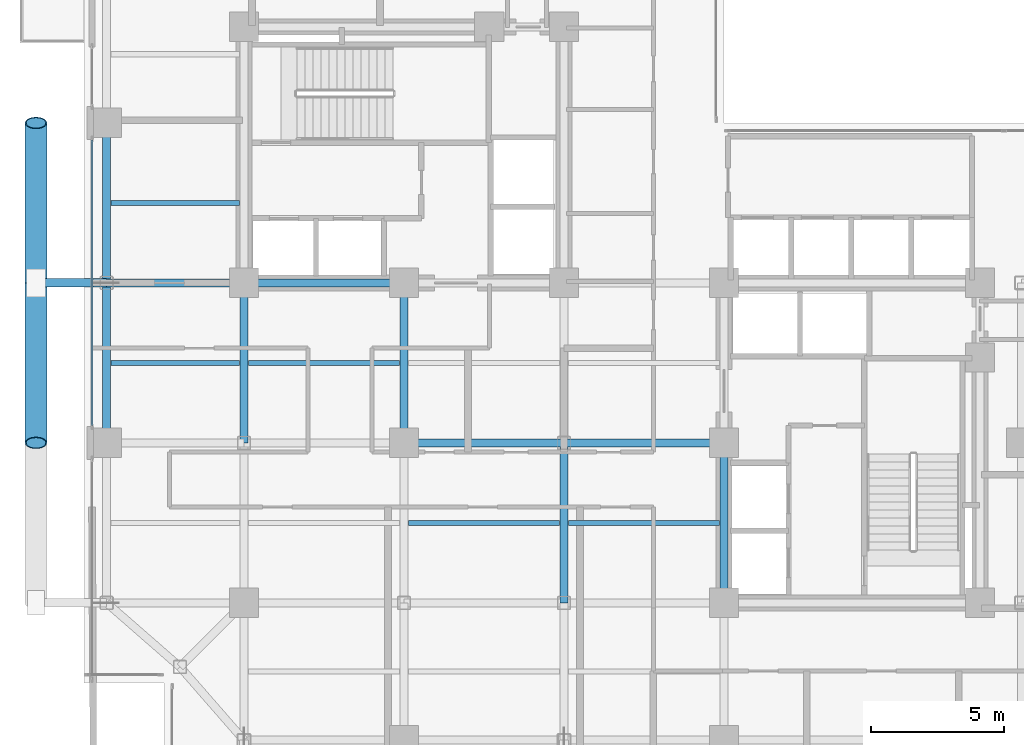
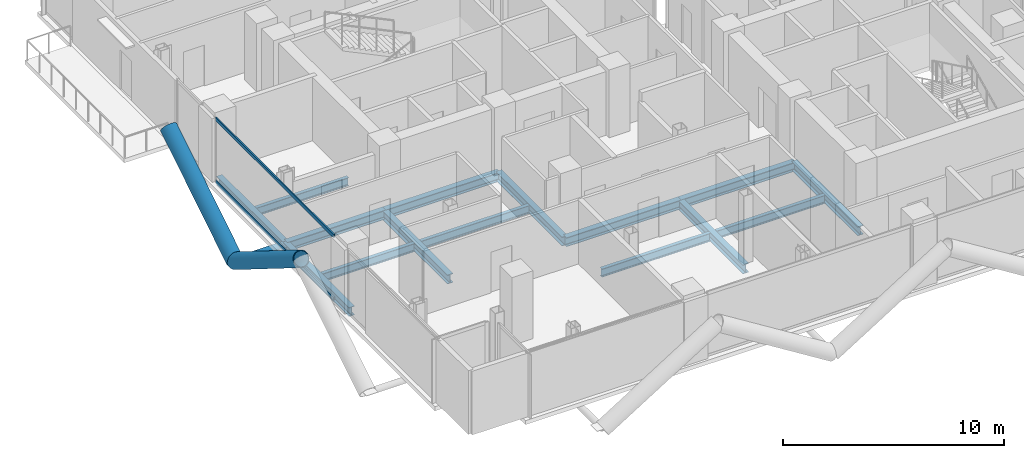
# One storey, part 6 of 28: 15 beams, 5 members, 1 element without a shape of its own.
"""IFC4 building model written with IfcOpenShell, lengths in metres."""

from ifc_helpers import new_model, si_unit, direction, frame, origin, origin_2d, place, context, subcontext, project, spatial, hollow_rectangle, hollow_circle, i_section, extrude, material, layer, layer_set, material_profile, profile_set, type_object, element, aggregate, save


model = new_model("IFC4")

# Units and contexts
model_context = context("Model", 3, precision=1e-05, world=origin(), true_north=direction((0.0, 1.0)))
body_context = subcontext(model_context, "Body", "Model", "MODEL_VIEW")
ifc_project = project(units=[si_unit("LENGTHUNIT", "METRE"), si_unit("AREAUNIT", "SQUARE_METRE"), si_unit("VOLUMEUNIT", "CUBIC_METRE"), si_unit("PLANEANGLEUNIT", "RADIAN"), si_unit("MASSUNIT", "GRAM", prefix="KILO"), si_unit("THERMODYNAMICTEMPERATUREUNIT", "KELVIN"), si_unit("POWERUNIT", "WATT")], contexts=[model_context])

# Site, building, storey
site_placement = place(None, origin())
site = spatial("IfcSite", under=ifc_project, at=site_placement, CompositionType="ELEMENT")
building_placement = place(site_placement, origin())
building = spatial("IfcBuilding", under=site, at=building_placement, Name="Svarakhadi Broadcast Tower", CompositionType="ELEMENT")
storey_placement = place(building_placement, frame((0.0, 0.0, 134.39990234375)))
storey = spatial("IfcBuildingStorey", under=building, at=storey_placement, Name="L32", CompositionType="ELEMENT", Elevation=134.39990234375)

# Beams
ifc_material_1 = material(Name="Steel S355J2 (IS 2062 E350C)", Category="steel")
ifc_material_profile_1 = material_profile(ifc_material_1, i_section(OverallWidth=0.18994140625, OverallDepth=0.449951171875, WebThickness=0.009521484375, FlangeThickness=0.0146484375, FilletRadius=0.02099609375, at=origin_2d()), Name="NPB 450x190x78")
ifc_profile_set_1 = profile_set([ifc_material_profile_1], Name="Steel S355J2 (IS 2062 E350C)")
beam_type_1 = type_object("IfcBeamType", Name="Beam_NPB450", PredefinedType="BEAM", material=ifc_profile_set_1)
for number, where, z_axis, x_axis, name in (
    (1, (1.010009765625, 15.0, -0.449951171875), (1.0, 0.0, 0.0), (0.0, 1.0, 0.0), "L32 Secondary Composite Beam SB002"),
    (2, (1.010009765625, 21.0, -0.449951171875), (1.0, 0.0, 0.0), (0.0, 1.0, 0.0), "L32 Secondary Composite Beam SB003"),
):
    element("IfcBeam", number, at=place(storey_placement, frame(where, z_axis=z_axis, x_axis=x_axis)), inside=storey, type_object=beam_type_1, Name=name, PredefinedType="BEAM", context=body_context, shape_type="SweptSolid", body=[
        extrude(i_section(OverallWidth=0.18994140625, OverallDepth=0.449951171875, WebThickness=0.009521484375, FlangeThickness=0.0146484375, FilletRadius=0.02099609375, at=origin_2d()), origin(), (0.0, 0.0, 1.0), 4.830078125),
    ])
for number, where, z_axis, x_axis, name in (
    (3, (6.159912109375, 15.0, -0.449951171875), (1.0, 0.0, 0.0), (0.0, 1.0, 0.0), "L32 Secondary Composite Beam SB008"),
    (4, (12.159912109375, 9.0, -0.449951171875), (1.0, 0.0, 0.0), (0.0, 1.0, 0.0), "L32 Secondary Composite Beam SB012"),
    (5, (18.159912109375, 9.0, -0.449951171875), (1.0, 0.0, 0.0), (0.0, 1.0, 0.0), "L32 Secondary Composite Beam SB017"),
):
    element("IfcBeam", number, at=place(storey_placement, frame(where, z_axis=z_axis, x_axis=x_axis)), inside=storey, type_object=beam_type_1, Name=name, PredefinedType="BEAM", context=body_context, shape_type="SweptSolid", body=[
        extrude(i_section(OverallWidth=0.18994140625, OverallDepth=0.449951171875, WebThickness=0.009521484375, FlangeThickness=0.0146484375, FilletRadius=0.02099609375, at=origin_2d()), origin(), (0.0, 0.0, 1.0), 5.68017578125),
    ])

# Curtain wall, members
ifc_material_2 = material(Name="Anodised Bronze Aluminium AA 6063-T6", Category="aluminium")
ifc_layer = layer(ifc_material_2, 0.199951171875)
ifc_layer_set = layer_set([ifc_layer], Name="Anodised Bronze Aluminium AA 6063-T6")
curtain_wall_type = type_object("IfcCurtainWallType", Name="CW_Sys_03", PredefinedType="NOTDEFINED", material=ifc_layer_set)
curtain_wall_placement = place(storey_placement, origin())
curtain_wall = element("IfcCurtainWall", 6, at=curtain_wall_placement, inside=storey, type_object=curtain_wall_type, Name="L32 West Curtain Wall 02 Bay 2", PredefinedType="NOTDEFINED")
ifc_material_profile_2 = material_profile(ifc_material_2, hollow_rectangle(XDim=0.070068359375, YDim=0.18505859375, WallThickness=0.0048828125, at=origin_2d()), Name="ALU TRANSOM 185x70x5")
ifc_profile_set_2 = profile_set([ifc_material_profile_2], Name="Anodised Bronze Aluminium AA 6063-T6")
member_type_1 = type_object("IfcMemberType", Name="CW_Sys_03_Trn", PredefinedType="USERDEFINED", material=ifc_profile_set_2)
member_1_placement = place(storey_placement, frame((0.300048828125, 12.64501953125, 0.03515625), z_axis=(0.0, 1.0, 0.0), x_axis=(-1.0, 0.0, 0.0)))
member_1 = element("IfcMember", 7, at=member_1_placement, type_object=member_type_1, Name="CW-03 transom 1.1", ObjectType="TRANSOM", PredefinedType="USERDEFINED", context=body_context, shape_type="SweptSolid", body=[
    extrude(hollow_rectangle(XDim=0.070068359375, YDim=0.18505859375, WallThickness=0.0048828125, at=origin_2d()), origin(), (0.0, 0.0, 1.0), 10.7099609375),
])
member_2_placement = place(storey_placement, frame((0.300048828125, 12.64501953125, 3.489990234375), z_axis=(0.0, 1.0, 0.0), x_axis=(-1.0, 0.0, 0.0)))
member_2 = element("IfcMember", 8, at=member_2_placement, type_object=member_type_1, Name="CW-03 transom 1.2", ObjectType="TRANSOM", PredefinedType="USERDEFINED", context=body_context, shape_type="SweptSolid", body=[
    extrude(hollow_rectangle(XDim=0.070068359375, YDim=0.18505859375, WallThickness=0.0048828125, at=origin_2d()), origin(), (0.0, 0.0, 1.0), 10.7099609375),
])
aggregate(curtain_wall, [member_1, member_2])

# Members
ifc_material_3 = material(Name="Steel S460ML (IS 2062 E450BR)", Category="steel")
ifc_material_profile_3 = material_profile(ifc_material_3, hollow_circle(Radius=0.406494140625, WallThickness=0.0400390625, at=origin_2d()), Name="CHS 813x40")
ifc_profile_set_3 = profile_set([ifc_material_profile_3], Name="Steel S460ML (IS 2062 E450BR)")
member_type_2 = type_object("IfcMemberType", Name="Exo_Brace_CHS813", PredefinedType="BRACE", material=ifc_profile_set_3)
for number, where, z_axis, x_axis, name in (
    (9, (-1.800048828125, 18.0, -0.386962890625), (0.0, -0.847998304005, 0.529998940003), (1.0, 0.0, 0.0), "L32 Exposed Bronze Exoskeleton Diagonal W06"),
    (10, (-1.800048828125, 18.0, -0.386962890625), (0.0, 0.847998304005, 0.529998940003), (-1.0, 0.0, 0.0), "L32 Exposed Bronze Exoskeleton Diagonal W07"),
):
    element("IfcMember", number, at=place(storey_placement, frame(where, z_axis=z_axis, x_axis=x_axis)), inside=storey, type_object=member_type_2, Name=name, PredefinedType="BRACE", context=body_context, shape_type="SweptSolid", body=[
        extrude(hollow_circle(Radius=0.406494140625, WallThickness=0.0400390625, at=origin_2d()), origin(), (0.0, 0.0, 1.0), 7.075439453125),
    ])
ifc_material_profile_4 = material_profile(ifc_material_3, hollow_circle(Radius=0.161865234375, WallThickness=0.01611328125, at=origin_2d()), Name="CHS 323.9x16")
ifc_profile_set_4 = profile_set([ifc_material_profile_4], Name="Steel S460ML (IS 2062 E450BR)")
member_type_3 = type_object("IfcMemberType", Name="Exo_Radial_Strut_Z2", PredefinedType="STRUT", material=ifc_profile_set_4)
member_3_placement = place(storey_placement, frame((-1.800048828125, 18.0, -0.386962890625), z_axis=(1.0, 0.0, 0.0), x_axis=(0.0, 1.0, 0.0)))
element("IfcMember", 11, at=member_3_placement, inside=storey, type_object=member_type_3, Name="L32 Exoskeleton Radial Tie Strut W06", PredefinedType="STRUT", context=body_context, shape_type="SweptSolid", body=[
    extrude(hollow_circle(Radius=0.161865234375, WallThickness=0.01611328125, at=origin_2d()), origin(), (0.0, 0.0, 1.0), 2.650146484375),
])

# Beams
ifc_material_profile_5 = material_profile(ifc_material_1, i_section(OverallWidth=0.300048828125, OverallDepth=0.5, WebThickness=0.014404296875, FlangeThickness=0.028076171875, FilletRadius=0.027099609375, at=origin_2d()), Name="WPB 500x300x187")
ifc_profile_set_5 = profile_set([ifc_material_profile_5], Name="Steel S355J2 (IS 2062 E350C)")
beam_type_2 = type_object("IfcBeamType", Name="Girder_WPB500", PredefinedType="USERDEFINED", material=ifc_profile_set_5)
for number, where, z_axis, x_axis, name in (
    (12, (12.0, 12.0, -0.474853515625), (1.0, 0.0, 0.0), (0.0, 1.0, 0.0), "L32 Primary E-W Girder G019"),
    (13, (18.0, 12.0, -0.474853515625), (1.0, 0.0, 0.0), (0.0, 1.0, 0.0), "L32 Primary E-W Girder G020"),
):
    element("IfcBeam", number, at=place(storey_placement, frame(where, z_axis=z_axis, x_axis=x_axis)), inside=storey, type_object=beam_type_2, Name=name, ObjectType="GIRDER", PredefinedType="USERDEFINED", context=body_context, shape_type="SweptSolid", body=[
        extrude(i_section(OverallWidth=0.300048828125, OverallDepth=0.5, WebThickness=0.014404296875, FlangeThickness=0.028076171875, FilletRadius=0.027099609375, at=origin_2d()), origin(), (0.0, 0.0, 1.0), 6.0),
    ])
beam_placement = place(storey_placement, frame((0.85009765625, 18.0, -0.474853515625), z_axis=(1.0, 0.0, 0.0), x_axis=(0.0, 1.0, 0.0)))
element("IfcBeam", 14, at=beam_placement, inside=storey, type_object=beam_type_2, Name="L32 Primary E-W Girder G023", ObjectType="GIRDER", PredefinedType="USERDEFINED", context=body_context, shape_type="SweptSolid", body=[
    extrude(i_section(OverallWidth=0.300048828125, OverallDepth=0.5, WebThickness=0.014404296875, FlangeThickness=0.028076171875, FilletRadius=0.027099609375, at=origin_2d()), origin(), (0.0, 0.0, 1.0), 5.14990234375),
])
for number, where, z_axis, x_axis, name in (
    (15, (6.0, 18.0, -0.474853515625), (1.0, 0.0, 0.0), (0.0, 1.0, 0.0), "L32 Primary E-W Girder G024"),
    (16, (0.85009765625, 12.0, -0.474853515625), (0.0, 1.0, 0.0), (-1.0, 0.0, 0.0), "L32 Primary N-S Girder G041"),
    (17, (0.85009765625, 18.0, -0.474853515625), (0.0, 1.0, 0.0), (-1.0, 0.0, 0.0), "L32 Primary N-S Girder G042"),
    (18, (6.0, 12.0, -0.474853515625), (0.0, 1.0, 0.0), (-1.0, 0.0, 0.0), "L32 Primary N-S Girder G047"),
    (19, (12.0, 12.0, -0.474853515625), (0.0, 1.0, 0.0), (-1.0, 0.0, 0.0), "L32 Primary N-S Girder G053"),
    (20, (18.0, 6.0, -0.474853515625), (0.0, 1.0, 0.0), (-1.0, 0.0, 0.0), "L32 Primary N-S Girder G057"),
    (21, (24.0, 6.0, -0.474853515625), (0.0, 1.0, 0.0), (-1.0, 0.0, 0.0), "L32 Primary N-S Girder G063"),
):
    element("IfcBeam", number, at=place(storey_placement, frame(where, z_axis=z_axis, x_axis=x_axis)), inside=storey, type_object=beam_type_2, Name=name, ObjectType="GIRDER", PredefinedType="USERDEFINED", context=body_context, shape_type="SweptSolid", body=[
        extrude(i_section(OverallWidth=0.300048828125, OverallDepth=0.5, WebThickness=0.014404296875, FlangeThickness=0.028076171875, FilletRadius=0.027099609375, at=origin_2d()), origin(), (0.0, 0.0, 1.0), 6.0),
    ])

save(model, "model.ifc")
